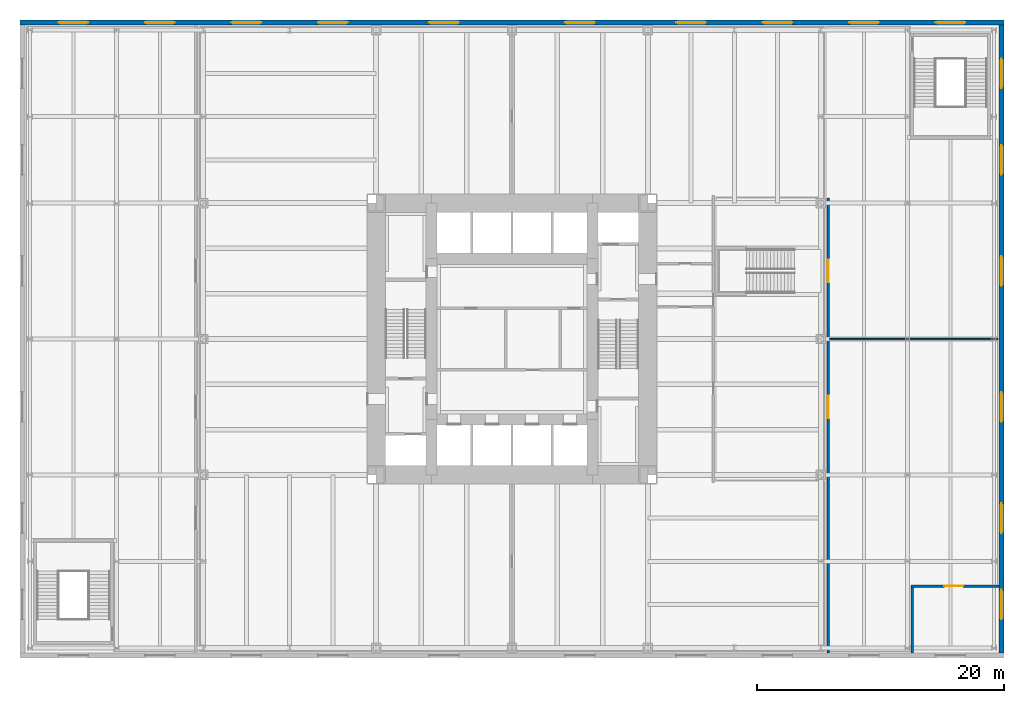
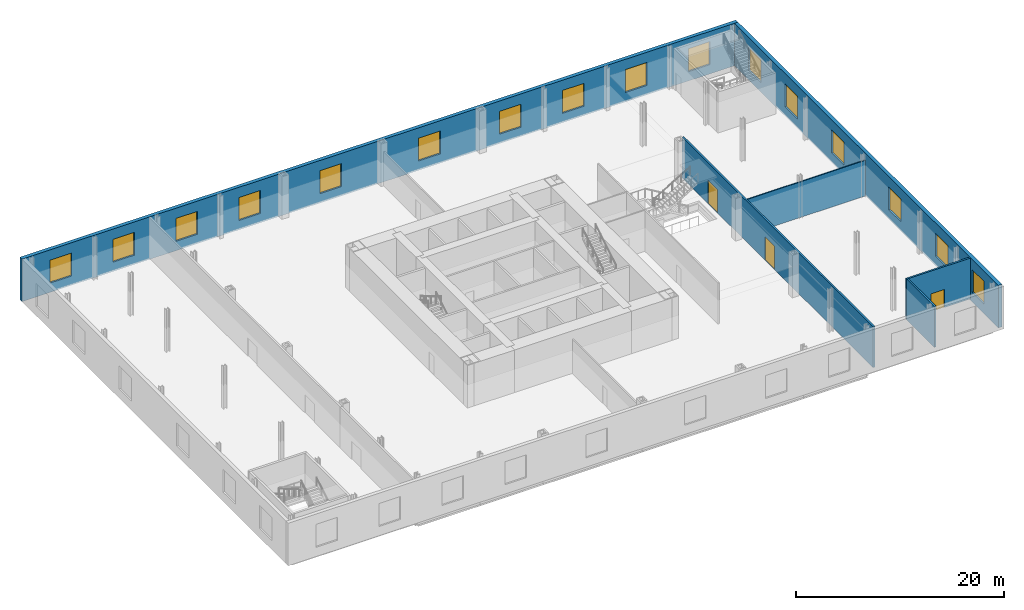
# One storey, part 10 of 13: 16 windows, 6 walls, 3 doors, 19 openings.
"""IFC4 building model written with IfcOpenShell, lengths in metres."""

import ifcopenshell
import ifcopenshell.guid

model = None  # the IFC model being written
_history = None  # IfcOwnerHistory: only IFC2X3 demands one
_inside = {}  # id of a spatial element -> (the spatial element, [elements in it])
_under = {}  # id of a project, library or spatial element -> (it, [spatial elements below it])
_declared = {}  # id of a project -> (the project, [libraries it declares])
_typed = {}  # id of a type object -> (the type object, [elements of that type])
_made_of = {}  # id of a material, layer set ... -> (it, [elements and type objects made of it])


def new_model(schema):
    """Start an empty IFC model of exactly this schema.

    Asked for "IFC4X3", IfcOpenShell would pick the latest addendum, in which some entities
    have other attributes; the version numbers below select the first issue.
    IFC2X3 requires an IfcOwnerHistory on every rooted entity: one is made here for all.
    """
    global model, _history
    if schema == "IFC4X3":
        model = ifcopenshell.file(schema_version=(4, 3, 0, 0))
    else:
        model = ifcopenshell.file(schema=schema)
    _inside.clear()
    _under.clear()
    _declared.clear()
    _typed.clear()
    _made_of.clear()
    _history = None
    if model.schema == "IFC2X3":
        org = make("IfcOrganization", Name="unknown")
        user = make(
            "IfcPersonAndOrganization",
            ThePerson=make("IfcPerson", FamilyName="unknown"),
            TheOrganization=org,
        )
        app = make(
            "IfcApplication",
            ApplicationDeveloper=org,
            Version="unknown",
            ApplicationFullName="unknown",
            ApplicationIdentifier="unknown",
        )
        _history = make(
            "IfcOwnerHistory",
            OwningUser=user,
            OwningApplication=app,
            ChangeAction="ADDED",
            CreationDate=0,
        )
    return model


def make(cls, **values):
    """One entity of the class cls with the attributes given. An attribute that is None is left unset."""
    return model.create_entity(
        cls, **{name: value for name, value in values.items() if value is not None}
    )


def rooted(cls, **values):
    """An entity with a GlobalId (a new one), such as an element, a storey or a relation."""
    return make(cls, GlobalId=ifcopenshell.guid.new(), OwnerHistory=_history, **values)


def si_unit(unit_type, name, prefix=None):
    """IfcSIUnit, for example si_unit("LENGTHUNIT", "METRE", prefix="MILLI")."""
    return make("IfcSIUnit", UnitType=unit_type, Prefix=prefix, Name=name)


def assignment(units):
    """IfcUnitAssignment: the units of a project."""
    return None if units is None else make("IfcUnitAssignment", Units=units)


def point(xyz):
    """IfcCartesianPoint."""
    return None if xyz is None else make("IfcCartesianPoint", Coordinates=xyz)


def direction(xyz):
    """IfcDirection."""
    return None if xyz is None else make("IfcDirection", DirectionRatios=xyz)


def frame(location, z_axis=None, x_axis=None):
    """IfcAxis2Placement3D, a coordinate frame: its origin and axes. An axis left out is left unset."""
    return make(
        "IfcAxis2Placement3D",
        Location=point(location),
        Axis=direction(z_axis),
        RefDirection=direction(x_axis),
    )


def frame_2d(location, x_axis=None):
    """IfcAxis2Placement2D, a coordinate frame in the plane: its origin and x axis."""
    return make(
        "IfcAxis2Placement2D", Location=point(location), RefDirection=direction(x_axis)
    )


def origin():
    """The frame at (0, 0, 0) with its axes left unset."""
    return frame((0.0, 0.0, 0.0))


def place(relative_to, where):
    """IfcLocalPlacement: puts the frame where relative to a parent placement (None: the world)."""
    return make(
        "IfcLocalPlacement", PlacementRelTo=relative_to, RelativePlacement=where
    )


def context(
    kind, dimensions, precision=None, world=None, true_north=None, identifier=None
):
    """IfcGeometricRepresentationContext, for example the 3D "Model" context."""
    return make(
        "IfcGeometricRepresentationContext",
        ContextIdentifier=identifier,
        ContextType=kind,
        CoordinateSpaceDimension=dimensions,
        Precision=precision,
        WorldCoordinateSystem=world,
        TrueNorth=true_north,
    )


def subcontext(parent, identifier, kind, view, scale=None):
    """IfcGeometricRepresentationSubContext, for example "Body" below "Model"."""
    return make(
        "IfcGeometricRepresentationSubContext",
        ContextIdentifier=identifier,
        ContextType=kind,
        ParentContext=parent,
        TargetScale=scale,
        TargetView=view,
    )


def project(units=None, contexts=None):
    """IfcProject with its units and contexts."""
    return rooted(
        "IfcProject",
        Name="project",
        RepresentationContexts=contexts,
        UnitsInContext=assignment(units),
    )


def spatial(cls, under=None, at=None, **own):
    """A site, building, storey or space (cls), placed at a placement, below another one or the project."""
    s = rooted(cls, ObjectPlacement=at, **own)
    if under is not None:
        _under.setdefault(under.id(), (under, []))[1].append(s)
    return s


def profile(cls, at=None, kind="AREA", **sizes):
    """A parametric profile (cls). Its sizes go by their IFC names, for example OverallWidth=200.0."""
    return make(cls, ProfileType=kind, Position=at, **sizes)


def rectangle(**sizes):
    """IfcRectangleProfileDef."""
    return profile("IfcRectangleProfileDef", **sizes)


def extrude(swept, where, along, depth):
    """IfcExtrudedAreaSolid: the profile swept, set in the frame where, extruded along a direction by depth."""
    return make(
        "IfcExtrudedAreaSolid",
        SweptArea=swept,
        Position=where,
        ExtrudedDirection=direction(along),
        Depth=depth,
    )


def shape(context_of_items, identifier, shape_type, items):
    """IfcShapeRepresentation: the items that make up one representation, for example the "Body"."""
    return make(
        "IfcShapeRepresentation",
        ContextOfItems=context_of_items,
        RepresentationIdentifier=identifier,
        RepresentationType=shape_type,
        Items=items,
    )


def material(Name=None, Category=None):
    """IfcMaterial."""
    return make("IfcMaterial", Name=Name, Category=Category)


def layer(
    of_material, thickness, ventilated=None, Name=None, Category=None, Priority=None
):
    """IfcMaterialLayer: one layer of a wall or slab, of a material (None: an air gap)."""
    return make(
        "IfcMaterialLayer",
        Material=of_material,
        LayerThickness=thickness,
        IsVentilated=ventilated,
        Name=Name,
        Category=Category,
        Priority=Priority,
    )


def layer_set(layers, Name=None):
    """IfcMaterialLayerSet."""
    return make("IfcMaterialLayerSet", MaterialLayers=layers, LayerSetName=Name)


def made_of(thing, what):
    """Note that an element or type object is made of a material, layer set ...; save() writes the relation."""
    if what is not None:
        _made_of.setdefault(what.id(), (what, []))[1].append(thing)
    return thing


def type_object(cls, material=None, **own):
    """A type object (cls), such as IfcWallType, which elements share."""
    return made_of(rooted(cls, **own), material)


def element(
    cls,
    number,
    at=None,
    inside=None,
    cuts=None,
    type_object=None,
    material=None,
    context=None,
    identifier="Body",
    shape_type=None,
    held_by="IfcProductDefinitionShape",
    body=None,
    shapes=None,
    **own,
):
    """One element of the class cls, such as IfcWall. Its Tag is "e" and its number.

    at: its placement. inside: the storey or other place that contains it. cuts: it is an
    opening in that element (IfcRelVoidsElement). A single representation is given by context,
    identifier, shape_type and body (its items); several are given by shapes. held_by: the class
    of the entity that holds the representations. save() writes the other relations.
    """
    e = rooted(cls, Tag="e%d" % number, ObjectPlacement=at, **own)
    if body is not None:
        shapes = [shape(context, identifier, shape_type, body)]
    if shapes is not None:
        e.Representation = make(held_by, Representations=shapes)
    if inside is not None:
        _inside.setdefault(inside.id(), (inside, []))[1].append(e)
    if cuts is not None:
        rooted(
            "IfcRelVoidsElement", RelatingBuildingElement=cuts, RelatedOpeningElement=e
        )
    if type_object is not None:
        _typed.setdefault(type_object.id(), (type_object, []))[1].append(e)
    return made_of(e, material)


def fill(opening, filler):
    """IfcRelFillsElement: the door or window that sits in an opening."""
    return rooted(
        "IfcRelFillsElement",
        RelatingOpeningElement=opening,
        RelatedBuildingElement=filler,
    )


def aggregate(whole, parts):
    """IfcRelAggregates: a whole, such as a stair, and the parts it consists of."""
    return rooted("IfcRelAggregates", RelatingObject=whole, RelatedObjects=parts)


def save(model, path):
    """Write the relations noted so far, then the file.

    IfcRelAggregates (storeys below a building ...), IfcRelContainedInSpatialStructure (elements
    in a storey), IfcRelDefinesByType, IfcRelAssociatesMaterial and IfcRelDeclares: one each for
    every whole, place, type object, material and project.
    """
    for whole, parts in _under.values():
        aggregate(whole, parts)
    for where, things in _inside.values():
        rooted(
            "IfcRelContainedInSpatialStructure",
            RelatedElements=things,
            RelatingStructure=where,
        )
    for kind, things in _typed.values():
        rooted("IfcRelDefinesByType", RelatedObjects=things, RelatingType=kind)
    for what, things in _made_of.values():
        rooted("IfcRelAssociatesMaterial", RelatedObjects=things, RelatingMaterial=what)
    for by, libraries in _declared.values():
        rooted("IfcRelDeclares", RelatingContext=by, RelatedDefinitions=libraries)
    model.write(path)


model = new_model("IFC4")

# Units and contexts
model_context = context("Model", 3, precision=1e-05, world=origin(), true_north=direction((0.0, 1.0)))
body_context = subcontext(model_context, "Body", "Model", "MODEL_VIEW")
ifc_project = project(units=[si_unit("LENGTHUNIT", "METRE"), si_unit("AREAUNIT", "SQUARE_METRE"), si_unit("VOLUMEUNIT", "CUBIC_METRE"), si_unit("PLANEANGLEUNIT", "RADIAN"), si_unit("MASSUNIT", "GRAM", prefix="KILO")], contexts=[model_context])

# Site, building, storey
site_placement = place(None, origin())
site = spatial("IfcSite", under=ifc_project, at=site_placement, CompositionType="ELEMENT")
building_placement = place(site_placement, origin())
building = spatial("IfcBuilding", under=site, at=building_placement, Name="Trevanion Tower", CompositionType="ELEMENT")
storey_placement = place(building_placement, frame((0.0, 0.0, 6.0)))
storey = spatial("IfcBuildingStorey", under=building, at=storey_placement, Name="L01", CompositionType="ELEMENT", Elevation=6.0)

# Wall, openings, windows
ifc_material_1 = material(Name="Granite cladding on concrete masonry", Category="masonry")
ifc_layer_1 = layer(ifc_material_1, 0.39990234375)
ifc_layer_set_1 = layer_set([ifc_layer_1], Name="EW1 granite-faced wall 400")
wall_type_1 = type_object("IfcWallType", Name="EW1 granite-faced wall 400", PredefinedType="SOLIDWALL", material=ifc_layer_set_1)
wall_1_placement = place(storey_placement, frame((39.6201171875, -25.419921875, -0.18994140625), z_axis=(0.0, 0.0, 1.0), x_axis=(0.0, 1.0, 0.0)))
wall_1 = element("IfcWall", 1, at=wall_1_placement, inside=storey, type_object=wall_type_1, Name="EW1 E L01", PredefinedType="SOLIDWALL", context=body_context, shape_type="SweptSolid", body=[
    extrude(rectangle(XDim=50.83984375, YDim=0.39990234375, at=frame_2d((25.419921875, 0.0))), origin(), (0.0, 0.0, 1.0), 5.0),
])
opening_1_placement = place(wall_1_placement, frame((2.719970703125, 0.0, 1.090087890625)))
opening_1 = element("IfcOpeningElement", 2, at=opening_1_placement, cuts=wall_1, Name="Opening WN2", PredefinedType="OPENING", context=body_context, shape_type="SweptSolid", body=[
    extrude(rectangle(XDim=2.39990234375, YDim=2.699951171875, at=frame_2d((1.199951171875, 1.35009765625))), frame((0.0, 0.2099609375, 0.0), z_axis=(0.0, -1.0, 0.0), x_axis=(1.0, 0.0, 0.0)), (0.0, 0.0, 1.0), 0.419921875),
])
opening_2_placement = place(wall_1_placement, frame((9.719970703125, 0.0, 1.090087890625)))
opening_2 = element("IfcOpeningElement", 3, at=opening_2_placement, cuts=wall_1, Name="Opening WN2", PredefinedType="OPENING", context=body_context, shape_type="SweptSolid", body=[
    extrude(rectangle(XDim=2.39990234375, YDim=2.699951171875, at=frame_2d((1.199951171875, 1.35009765625))), frame((0.0, 0.2099609375, 0.0), z_axis=(0.0, -1.0, 0.0), x_axis=(1.0, 0.0, 0.0)), (0.0, 0.0, 1.0), 0.419921875),
])
opening_3_placement = place(wall_1_placement, frame((18.719970703125, 0.0, 1.090087890625)))
opening_3 = element("IfcOpeningElement", 4, at=opening_3_placement, cuts=wall_1, Name="Opening WN2", PredefinedType="OPENING", context=body_context, shape_type="SweptSolid", body=[
    extrude(rectangle(XDim=2.39990234375, YDim=2.699951171875, at=frame_2d((1.199951171875, 1.35009765625))), frame((0.0, 0.2099609375, 0.0), z_axis=(0.0, -1.0, 0.0), x_axis=(1.0, 0.0, 0.0)), (0.0, 0.0, 1.0), 0.419921875),
])
opening_4_placement = place(wall_1_placement, frame((29.719970703125, 0.0, 1.090087890625)))
opening_4 = element("IfcOpeningElement", 5, at=opening_4_placement, cuts=wall_1, Name="Opening WN2", PredefinedType="OPENING", context=body_context, shape_type="SweptSolid", body=[
    extrude(rectangle(XDim=2.39990234375, YDim=2.699951171875, at=frame_2d((1.199951171875, 1.35009765625))), frame((0.0, 0.2099609375, 0.0), z_axis=(0.0, -1.0, 0.0), x_axis=(1.0, 0.0, 0.0)), (0.0, 0.0, 1.0), 0.419921875),
])
opening_5_placement = place(wall_1_placement, frame((38.719970703125, 0.0, 1.090087890625)))
opening_5 = element("IfcOpeningElement", 6, at=opening_5_placement, cuts=wall_1, Name="Opening WN2", PredefinedType="OPENING", context=body_context, shape_type="SweptSolid", body=[
    extrude(rectangle(XDim=2.39990234375, YDim=2.699951171875, at=frame_2d((1.199951171875, 1.35009765625))), frame((0.0, 0.2099609375, 0.0), z_axis=(0.0, -1.0, 0.0), x_axis=(1.0, 0.0, 0.0)), (0.0, 0.0, 1.0), 0.419921875),
])
opening_6_placement = place(wall_1_placement, frame((45.719970703125, 0.0, 1.090087890625)))
opening_6 = element("IfcOpeningElement", 7, at=opening_6_placement, cuts=wall_1, Name="Opening WN2", PredefinedType="OPENING", context=body_context, shape_type="SweptSolid", body=[
    extrude(rectangle(XDim=2.39990234375, YDim=2.699951171875, at=frame_2d((1.199951171875, 1.35009765625))), frame((0.0, 0.2099609375, 0.0), z_axis=(0.0, -1.0, 0.0), x_axis=(1.0, 0.0, 0.0)), (0.0, 0.0, 1.0), 0.419921875),
])
ifc_material_2 = material(Name="Bronze-finish aluminium frame, insulating glass", Category="aluminium")
window_type = type_object("IfcWindowType", Name="WN2 window 2400x2700", PartitioningType="SINGLE_PANEL", PredefinedType="WINDOW", material=ifc_material_2)
window_1_placement = place(opening_1_placement, origin())
window_1 = element("IfcWindow", 8, at=window_1_placement, inside=storey, type_object=window_type, Name="WN2 E L01", OverallHeight=2.699951171875, OverallWidth=2.39990234375, PartitioningType="SINGLE_PANEL", PredefinedType="WINDOW", context=body_context, shape_type="SweptSolid", body=[
    extrude(rectangle(XDim=2.39990234375, YDim=2.699951171875, at=frame_2d((1.199951171875, 1.35009765625))), frame((0.0, 0.030029296875, 0.0), z_axis=(0.0, -1.0, 0.0), x_axis=(1.0, 0.0, 0.0)), (0.0, 0.0, 1.0), 0.06005859375),
])
fill(opening_1, window_1)
window_2_placement = place(opening_2_placement, origin())
window_2 = element("IfcWindow", 9, at=window_2_placement, inside=storey, type_object=window_type, Name="WN2 E L01", OverallHeight=2.699951171875, OverallWidth=2.39990234375, PartitioningType="SINGLE_PANEL", PredefinedType="WINDOW", context=body_context, shape_type="SweptSolid", body=[
    extrude(rectangle(XDim=2.39990234375, YDim=2.699951171875, at=frame_2d((1.199951171875, 1.35009765625))), frame((0.0, 0.030029296875, 0.0), z_axis=(0.0, -1.0, 0.0), x_axis=(1.0, 0.0, 0.0)), (0.0, 0.0, 1.0), 0.06005859375),
])
fill(opening_2, window_2)
window_3_placement = place(opening_3_placement, origin())
window_3 = element("IfcWindow", 10, at=window_3_placement, inside=storey, type_object=window_type, Name="WN2 E L01", OverallHeight=2.699951171875, OverallWidth=2.39990234375, PartitioningType="SINGLE_PANEL", PredefinedType="WINDOW", context=body_context, shape_type="SweptSolid", body=[
    extrude(rectangle(XDim=2.39990234375, YDim=2.699951171875, at=frame_2d((1.199951171875, 1.35009765625))), frame((0.0, 0.030029296875, 0.0), z_axis=(0.0, -1.0, 0.0), x_axis=(1.0, 0.0, 0.0)), (0.0, 0.0, 1.0), 0.06005859375),
])
fill(opening_3, window_3)
window_4_placement = place(opening_4_placement, origin())
window_4 = element("IfcWindow", 11, at=window_4_placement, inside=storey, type_object=window_type, Name="WN2 E L01", OverallHeight=2.699951171875, OverallWidth=2.39990234375, PartitioningType="SINGLE_PANEL", PredefinedType="WINDOW", context=body_context, shape_type="SweptSolid", body=[
    extrude(rectangle(XDim=2.39990234375, YDim=2.699951171875, at=frame_2d((1.199951171875, 1.35009765625))), frame((0.0, 0.030029296875, 0.0), z_axis=(0.0, -1.0, 0.0), x_axis=(1.0, 0.0, 0.0)), (0.0, 0.0, 1.0), 0.06005859375),
])
fill(opening_4, window_4)
window_5_placement = place(opening_5_placement, origin())
window_5 = element("IfcWindow", 12, at=window_5_placement, inside=storey, type_object=window_type, Name="WN2 E L01", OverallHeight=2.699951171875, OverallWidth=2.39990234375, PartitioningType="SINGLE_PANEL", PredefinedType="WINDOW", context=body_context, shape_type="SweptSolid", body=[
    extrude(rectangle(XDim=2.39990234375, YDim=2.699951171875, at=frame_2d((1.199951171875, 1.35009765625))), frame((0.0, 0.030029296875, 0.0), z_axis=(0.0, -1.0, 0.0), x_axis=(1.0, 0.0, 0.0)), (0.0, 0.0, 1.0), 0.06005859375),
])
fill(opening_5, window_5)
window_6_placement = place(opening_6_placement, origin())
window_6 = element("IfcWindow", 13, at=window_6_placement, inside=storey, type_object=window_type, Name="WN2 E L01", OverallHeight=2.699951171875, OverallWidth=2.39990234375, PartitioningType="SINGLE_PANEL", PredefinedType="WINDOW", context=body_context, shape_type="SweptSolid", body=[
    extrude(rectangle(XDim=2.39990234375, YDim=2.699951171875, at=frame_2d((1.199951171875, 1.35009765625))), frame((0.0, 0.030029296875, 0.0), z_axis=(0.0, -1.0, 0.0), x_axis=(1.0, 0.0, 0.0)), (0.0, 0.0, 1.0), 0.06005859375),
])
fill(opening_6, window_6)

wall_2_placement = place(storey_placement, frame((39.820068359375, 25.6201171875, -0.18994140625), z_axis=(0.0, 0.0, 1.0), x_axis=(-1.0, 0.0, 0.0)))
wall_2 = element("IfcWall", 14, at=wall_2_placement, inside=storey, type_object=wall_type_1, Name="EW1 N L01", PredefinedType="SOLIDWALL", context=body_context, shape_type="SweptSolid", body=[
    extrude(rectangle(XDim=79.64013671875, YDim=0.39990234375, at=frame_2d((39.820068359375, 0.0))), origin(), (0.0, 0.0, 1.0), 5.0),
])
opening_7_placement = place(wall_2_placement, frame((74.1201171875, 0.0, 1.090087890625)))
opening_7 = element("IfcOpeningElement", 15, at=opening_7_placement, cuts=wall_2, Name="Opening WN2", PredefinedType="OPENING", context=body_context, shape_type="SweptSolid", body=[
    extrude(rectangle(XDim=2.39990234375, YDim=2.699951171875, at=frame_2d((1.199951171875, 1.35009765625))), frame((0.0, 0.2099609375, 0.0), z_axis=(0.0, -1.0, 0.0), x_axis=(1.0, 0.0, 0.0)), (0.0, 0.0, 1.0), 0.419921875),
])
opening_8_placement = place(wall_2_placement, frame((67.1201171875, 0.0, 1.090087890625)))
opening_8 = element("IfcOpeningElement", 16, at=opening_8_placement, cuts=wall_2, Name="Opening WN2", PredefinedType="OPENING", context=body_context, shape_type="SweptSolid", body=[
    extrude(rectangle(XDim=2.39990234375, YDim=2.699951171875, at=frame_2d((1.199951171875, 1.35009765625))), frame((0.0, 0.2099609375, 0.0), z_axis=(0.0, -1.0, 0.0), x_axis=(1.0, 0.0, 0.0)), (0.0, 0.0, 1.0), 0.419921875),
])
opening_9_placement = place(wall_2_placement, frame((60.1201171875, 0.0, 1.090087890625)))
opening_9 = element("IfcOpeningElement", 17, at=opening_9_placement, cuts=wall_2, Name="Opening WN2", PredefinedType="OPENING", context=body_context, shape_type="SweptSolid", body=[
    extrude(rectangle(XDim=2.39990234375, YDim=2.699951171875, at=frame_2d((1.199951171875, 1.35009765625))), frame((0.0, 0.2099609375, 0.0), z_axis=(0.0, -1.0, 0.0), x_axis=(1.0, 0.0, 0.0)), (0.0, 0.0, 1.0), 0.419921875),
])
opening_10_placement = place(wall_2_placement, frame((53.1201171875, 0.0, 1.090087890625)))
opening_10 = element("IfcOpeningElement", 18, at=opening_10_placement, cuts=wall_2, Name="Opening WN2", PredefinedType="OPENING", context=body_context, shape_type="SweptSolid", body=[
    extrude(rectangle(XDim=2.39990234375, YDim=2.699951171875, at=frame_2d((1.199951171875, 1.35009765625))), frame((0.0, 0.2099609375, 0.0), z_axis=(0.0, -1.0, 0.0), x_axis=(1.0, 0.0, 0.0)), (0.0, 0.0, 1.0), 0.419921875),
])
opening_11_placement = place(wall_2_placement, frame((44.1201171875, 0.0, 1.090087890625)))
opening_11 = element("IfcOpeningElement", 19, at=opening_11_placement, cuts=wall_2, Name="Opening WN2", PredefinedType="OPENING", context=body_context, shape_type="SweptSolid", body=[
    extrude(rectangle(XDim=2.39990234375, YDim=2.699951171875, at=frame_2d((1.199951171875, 1.35009765625))), frame((0.0, 0.2099609375, 0.0), z_axis=(0.0, -1.0, 0.0), x_axis=(1.0, 0.0, 0.0)), (0.0, 0.0, 1.0), 0.419921875),
])
opening_12_placement = place(wall_2_placement, frame((33.1201171875, 0.0, 1.090087890625)))
opening_12 = element("IfcOpeningElement", 20, at=opening_12_placement, cuts=wall_2, Name="Opening WN2", PredefinedType="OPENING", context=body_context, shape_type="SweptSolid", body=[
    extrude(rectangle(XDim=2.39990234375, YDim=2.699951171875, at=frame_2d((1.199951171875, 1.35009765625))), frame((0.0, 0.2099609375, 0.0), z_axis=(0.0, -1.0, 0.0), x_axis=(1.0, 0.0, 0.0)), (0.0, 0.0, 1.0), 0.419921875),
])
opening_13_placement = place(wall_2_placement, frame((24.1201171875, 0.0, 1.090087890625)))
opening_13 = element("IfcOpeningElement", 21, at=opening_13_placement, cuts=wall_2, Name="Opening WN2", PredefinedType="OPENING", context=body_context, shape_type="SweptSolid", body=[
    extrude(rectangle(XDim=2.39990234375, YDim=2.699951171875, at=frame_2d((1.199951171875, 1.35009765625))), frame((0.0, 0.2099609375, 0.0), z_axis=(0.0, -1.0, 0.0), x_axis=(1.0, 0.0, 0.0)), (0.0, 0.0, 1.0), 0.419921875),
])
opening_14_placement = place(wall_2_placement, frame((17.1201171875, 0.0, 1.090087890625)))
opening_14 = element("IfcOpeningElement", 22, at=opening_14_placement, cuts=wall_2, Name="Opening WN2", PredefinedType="OPENING", context=body_context, shape_type="SweptSolid", body=[
    extrude(rectangle(XDim=2.39990234375, YDim=2.699951171875, at=frame_2d((1.199951171875, 1.35009765625))), frame((0.0, 0.2099609375, 0.0), z_axis=(0.0, -1.0, 0.0), x_axis=(1.0, 0.0, 0.0)), (0.0, 0.0, 1.0), 0.419921875),
])
opening_15_placement = place(wall_2_placement, frame((10.1201171875, 0.0, 1.090087890625)))
opening_15 = element("IfcOpeningElement", 23, at=opening_15_placement, cuts=wall_2, Name="Opening WN2", PredefinedType="OPENING", context=body_context, shape_type="SweptSolid", body=[
    extrude(rectangle(XDim=2.39990234375, YDim=2.699951171875, at=frame_2d((1.199951171875, 1.35009765625))), frame((0.0, 0.2099609375, 0.0), z_axis=(0.0, -1.0, 0.0), x_axis=(1.0, 0.0, 0.0)), (0.0, 0.0, 1.0), 0.419921875),
])
opening_16_placement = place(wall_2_placement, frame((3.1201171875, 0.0, 1.090087890625)))
opening_16 = element("IfcOpeningElement", 24, at=opening_16_placement, cuts=wall_2, Name="Opening WN2", PredefinedType="OPENING", context=body_context, shape_type="SweptSolid", body=[
    extrude(rectangle(XDim=2.39990234375, YDim=2.699951171875, at=frame_2d((1.199951171875, 1.35009765625))), frame((0.0, 0.2099609375, 0.0), z_axis=(0.0, -1.0, 0.0), x_axis=(1.0, 0.0, 0.0)), (0.0, 0.0, 1.0), 0.419921875),
])
window_7_placement = place(opening_7_placement, origin())
window_7 = element("IfcWindow", 25, at=window_7_placement, inside=storey, type_object=window_type, Name="WN2 N L01", OverallHeight=2.699951171875, OverallWidth=2.39990234375, PartitioningType="SINGLE_PANEL", PredefinedType="WINDOW", context=body_context, shape_type="SweptSolid", body=[
    extrude(rectangle(XDim=2.39990234375, YDim=2.699951171875, at=frame_2d((1.199951171875, 1.35009765625))), frame((0.0, 0.030029296875, 0.0), z_axis=(0.0, -1.0, 0.0), x_axis=(1.0, 0.0, 0.0)), (0.0, 0.0, 1.0), 0.06005859375),
])
fill(opening_7, window_7)
window_8_placement = place(opening_8_placement, origin())
window_8 = element("IfcWindow", 26, at=window_8_placement, inside=storey, type_object=window_type, Name="WN2 N L01", OverallHeight=2.699951171875, OverallWidth=2.39990234375, PartitioningType="SINGLE_PANEL", PredefinedType="WINDOW", context=body_context, shape_type="SweptSolid", body=[
    extrude(rectangle(XDim=2.39990234375, YDim=2.699951171875, at=frame_2d((1.199951171875, 1.35009765625))), frame((0.0, 0.030029296875, 0.0), z_axis=(0.0, -1.0, 0.0), x_axis=(1.0, 0.0, 0.0)), (0.0, 0.0, 1.0), 0.06005859375),
])
fill(opening_8, window_8)
window_9_placement = place(opening_9_placement, origin())
window_9 = element("IfcWindow", 27, at=window_9_placement, inside=storey, type_object=window_type, Name="WN2 N L01", OverallHeight=2.699951171875, OverallWidth=2.39990234375, PartitioningType="SINGLE_PANEL", PredefinedType="WINDOW", context=body_context, shape_type="SweptSolid", body=[
    extrude(rectangle(XDim=2.39990234375, YDim=2.699951171875, at=frame_2d((1.199951171875, 1.35009765625))), frame((0.0, 0.030029296875, 0.0), z_axis=(0.0, -1.0, 0.0), x_axis=(1.0, 0.0, 0.0)), (0.0, 0.0, 1.0), 0.06005859375),
])
fill(opening_9, window_9)
window_10_placement = place(opening_10_placement, origin())
window_10 = element("IfcWindow", 28, at=window_10_placement, inside=storey, type_object=window_type, Name="WN2 N L01", OverallHeight=2.699951171875, OverallWidth=2.39990234375, PartitioningType="SINGLE_PANEL", PredefinedType="WINDOW", context=body_context, shape_type="SweptSolid", body=[
    extrude(rectangle(XDim=2.39990234375, YDim=2.699951171875, at=frame_2d((1.199951171875, 1.35009765625))), frame((0.0, 0.030029296875, 0.0), z_axis=(0.0, -1.0, 0.0), x_axis=(1.0, 0.0, 0.0)), (0.0, 0.0, 1.0), 0.06005859375),
])
fill(opening_10, window_10)
window_11_placement = place(opening_11_placement, origin())
window_11 = element("IfcWindow", 29, at=window_11_placement, inside=storey, type_object=window_type, Name="WN2 N L01", OverallHeight=2.699951171875, OverallWidth=2.39990234375, PartitioningType="SINGLE_PANEL", PredefinedType="WINDOW", context=body_context, shape_type="SweptSolid", body=[
    extrude(rectangle(XDim=2.39990234375, YDim=2.699951171875, at=frame_2d((1.199951171875, 1.35009765625))), frame((0.0, 0.030029296875, 0.0), z_axis=(0.0, -1.0, 0.0), x_axis=(1.0, 0.0, 0.0)), (0.0, 0.0, 1.0), 0.06005859375),
])
fill(opening_11, window_11)
window_12_placement = place(opening_12_placement, origin())
window_12 = element("IfcWindow", 30, at=window_12_placement, inside=storey, type_object=window_type, Name="WN2 N L01", OverallHeight=2.699951171875, OverallWidth=2.39990234375, PartitioningType="SINGLE_PANEL", PredefinedType="WINDOW", context=body_context, shape_type="SweptSolid", body=[
    extrude(rectangle(XDim=2.39990234375, YDim=2.699951171875, at=frame_2d((1.199951171875, 1.35009765625))), frame((0.0, 0.030029296875, 0.0), z_axis=(0.0, -1.0, 0.0), x_axis=(1.0, 0.0, 0.0)), (0.0, 0.0, 1.0), 0.06005859375),
])
fill(opening_12, window_12)
window_13_placement = place(opening_13_placement, origin())
window_13 = element("IfcWindow", 31, at=window_13_placement, inside=storey, type_object=window_type, Name="WN2 N L01", OverallHeight=2.699951171875, OverallWidth=2.39990234375, PartitioningType="SINGLE_PANEL", PredefinedType="WINDOW", context=body_context, shape_type="SweptSolid", body=[
    extrude(rectangle(XDim=2.39990234375, YDim=2.699951171875, at=frame_2d((1.199951171875, 1.35009765625))), frame((0.0, 0.030029296875, 0.0), z_axis=(0.0, -1.0, 0.0), x_axis=(1.0, 0.0, 0.0)), (0.0, 0.0, 1.0), 0.06005859375),
])
fill(opening_13, window_13)
window_14_placement = place(opening_14_placement, origin())
window_14 = element("IfcWindow", 32, at=window_14_placement, inside=storey, type_object=window_type, Name="WN2 N L01", OverallHeight=2.699951171875, OverallWidth=2.39990234375, PartitioningType="SINGLE_PANEL", PredefinedType="WINDOW", context=body_context, shape_type="SweptSolid", body=[
    extrude(rectangle(XDim=2.39990234375, YDim=2.699951171875, at=frame_2d((1.199951171875, 1.35009765625))), frame((0.0, 0.030029296875, 0.0), z_axis=(0.0, -1.0, 0.0), x_axis=(1.0, 0.0, 0.0)), (0.0, 0.0, 1.0), 0.06005859375),
])
fill(opening_14, window_14)
window_15_placement = place(opening_15_placement, origin())
window_15 = element("IfcWindow", 33, at=window_15_placement, inside=storey, type_object=window_type, Name="WN2 N L01", OverallHeight=2.699951171875, OverallWidth=2.39990234375, PartitioningType="SINGLE_PANEL", PredefinedType="WINDOW", context=body_context, shape_type="SweptSolid", body=[
    extrude(rectangle(XDim=2.39990234375, YDim=2.699951171875, at=frame_2d((1.199951171875, 1.35009765625))), frame((0.0, 0.030029296875, 0.0), z_axis=(0.0, -1.0, 0.0), x_axis=(1.0, 0.0, 0.0)), (0.0, 0.0, 1.0), 0.06005859375),
])
fill(opening_15, window_15)
window_16_placement = place(opening_16_placement, origin())
window_16 = element("IfcWindow", 34, at=window_16_placement, inside=storey, type_object=window_type, Name="WN2 N L01", OverallHeight=2.699951171875, OverallWidth=2.39990234375, PartitioningType="SINGLE_PANEL", PredefinedType="WINDOW", context=body_context, shape_type="SweptSolid", body=[
    extrude(rectangle(XDim=2.39990234375, YDim=2.699951171875, at=frame_2d((1.199951171875, 1.35009765625))), frame((0.0, 0.030029296875, 0.0), z_axis=(0.0, -1.0, 0.0), x_axis=(1.0, 0.0, 0.0)), (0.0, 0.0, 1.0), 0.06005859375),
])
fill(opening_16, window_16)

# Wall, opening, door
ifc_material_3 = material(Name="Concrete masonry, grouted", Category="masonry")
ifc_layer_2 = layer(ifc_material_3, 0.199951171875)
ifc_layer_set_2 = layer_set([ifc_layer_2], Name="PT2 partition 200")
wall_type_2 = type_object("IfcWallType", Name="PT2 partition 200", PredefinedType="PARTITIONING", material=ifc_layer_set_2)
wall_3_placement = place(storey_placement, frame((32.300048828125, -20.0, 0.0), z_axis=(0.0, 0.0, 1.0), x_axis=(1.0, 0.0, 0.0)))
wall_3 = element("IfcWall", 35, at=wall_3_placement, inside=storey, type_object=wall_type_2, Name="PT2 L01 CS1", PredefinedType="PARTITIONING", context=body_context, shape_type="SweptSolid", body=[
    extrude(rectangle(XDim=7.10986328125, YDim=0.199951171875, at=frame_2d((3.554931640625, 0.0))), origin(), (0.0, 0.0, 1.0), 4.81005859375),
])
opening_17_placement = place(wall_3_placement, frame((2.68798828125, 0.0, 0.0)))
opening_17 = element("IfcOpeningElement", 36, at=opening_17_placement, cuts=wall_3, Name="Opening 01-031", PredefinedType="OPENING", context=body_context, shape_type="SweptSolid", body=[
    extrude(rectangle(XDim=1.52392578125, YDim=2.134033203125, at=frame_2d((0.761962890625, 1.06689453125))), frame((0.0, 0.10986328125, 0.0), z_axis=(0.0, -1.0, 0.0), x_axis=(1.0, 0.0, 0.0)), (0.0, 0.0, 1.0), 0.219970703125),
])
ifc_material_4 = material(Name="Timber veneer, solid core", Category="wood")
door_type_1 = type_object("IfcDoorType", Name="D17 furniture store double door", OperationType="DOUBLE_DOOR_SINGLE_SWING", PredefinedType="DOOR", material=ifc_material_4)
door_1_placement = place(opening_17_placement, origin())
door_1 = element("IfcDoor", 37, at=door_1_placement, inside=storey, type_object=door_type_1, Name="Door 01-031", OperationType="DOUBLE_DOOR_SINGLE_SWING", OverallHeight=2.134033203125, OverallWidth=1.52392578125, PredefinedType="DOOR", context=body_context, shape_type="SweptSolid", body=[
    extrude(rectangle(XDim=1.52392578125, YDim=2.134033203125, at=frame_2d((0.761962890625, 1.06689453125))), frame((0.0, 0.02490234375, 0.0), z_axis=(0.0, -1.0, 0.0), x_axis=(1.0, 0.0, 0.0)), (0.0, 0.0, 1.0), 0.050048828125),
])
fill(opening_17, door_1)

# Wall
wall_4_placement = place(storey_placement, frame((32.39990234375, -25.409912109375, 0.0), z_axis=(0.0, 0.0, 1.0), x_axis=(0.0, 1.0, 0.0)))
element("IfcWall", 38, at=wall_4_placement, inside=storey, type_object=wall_type_2, Name="PT2 L01 CS2", PredefinedType="PARTITIONING", context=body_context, shape_type="SweptSolid", body=[
    extrude(rectangle(XDim=5.309814453125, YDim=0.199951171875, at=frame_2d((2.65478515625, 0.0))), origin(), (0.0, 0.0, 1.0), 4.81005859375),
])

# Wall, openings, doors
ifc_material_5 = material(Name="Concrete masonry, grouted", Category="masonry")
ifc_layer_3 = layer(ifc_material_5, 0.199951171875)
ifc_layer_set_3 = layer_set([ifc_layer_3], Name="PT2 partition 200 1 HR")
wall_type_3 = type_object("IfcWallType", Name="PT2 partition 200 1 HR", PredefinedType="PARTITIONING", material=ifc_layer_set_3)
wall_5_placement = place(storey_placement, frame((25.60009765625, -25.409912109375, 0.0), z_axis=(0.0, 0.0, 1.0), x_axis=(0.0, 1.0, 0.0)))
wall_5 = element("IfcWall", 39, at=wall_5_placement, inside=storey, type_object=wall_type_3, Name="PT2 L01 WE1", PredefinedType="PARTITIONING", context=body_context, shape_type="SweptSolid", body=[
    extrude(rectangle(XDim=36.809814453125, YDim=0.199951171875, at=frame_2d((18.40478515625, 0.0))), origin(), (0.0, 0.0, 1.0), 4.81005859375),
])
opening_18_placement = place(wall_5_placement, frame((29.9951171875, 0.0, 0.0)))
opening_18 = element("IfcOpeningElement", 40, at=opening_18_placement, cuts=wall_5, Name="Opening 01-020", PredefinedType="OPENING", context=body_context, shape_type="SweptSolid", body=[
    extrude(rectangle(XDim=1.830078125, YDim=2.742919921875, at=frame_2d((0.9150390625, 1.37158203125))), frame((0.0, 0.10986328125, 0.0), z_axis=(0.0, -1.0, 0.0), x_axis=(1.0, 0.0, 0.0)), (0.0, 0.0, 1.0), 0.219970703125),
])
opening_19_placement = place(wall_5_placement, frame((18.9951171875, 0.0, 0.0)))
opening_19 = element("IfcOpeningElement", 41, at=opening_19_placement, cuts=wall_5, Name="Opening 01-021", PredefinedType="OPENING", context=body_context, shape_type="SweptSolid", body=[
    extrude(rectangle(XDim=1.830078125, YDim=2.742919921875, at=frame_2d((0.9150390625, 1.37158203125))), frame((0.0, 0.10986328125, 0.0), z_axis=(0.0, -1.0, 0.0), x_axis=(1.0, 0.0, 0.0)), (0.0, 0.0, 1.0), 0.219970703125),
])
ifc_material_6 = material(Name="Bronze-framed timber, fire rated", Category="wood")
door_type_2 = type_object("IfcDoorType", Name="D18 conference hall entrance pair", OperationType="DOUBLE_DOOR_DOUBLE_SWING", PredefinedType="DOOR", material=ifc_material_6)
door_2_placement = place(opening_18_placement, origin())
door_2 = element("IfcDoor", 42, at=door_2_placement, inside=storey, type_object=door_type_2, Name="Door 01-020", OperationType="DOUBLE_DOOR_DOUBLE_SWING", OverallHeight=2.742919921875, OverallWidth=1.830078125, PredefinedType="DOOR", context=body_context, shape_type="SweptSolid", body=[
    extrude(rectangle(XDim=1.830078125, YDim=2.742919921875, at=frame_2d((0.9150390625, 1.37158203125))), frame((0.0, 0.02490234375, 0.0), z_axis=(0.0, -1.0, 0.0), x_axis=(1.0, 0.0, 0.0)), (0.0, 0.0, 1.0), 0.050048828125),
])
fill(opening_18, door_2)
door_3_placement = place(opening_19_placement, origin())
door_3 = element("IfcDoor", 43, at=door_3_placement, inside=storey, type_object=door_type_2, Name="Door 01-021", OperationType="DOUBLE_DOOR_DOUBLE_SWING", OverallHeight=2.742919921875, OverallWidth=1.830078125, PredefinedType="DOOR", context=body_context, shape_type="SweptSolid", body=[
    extrude(rectangle(XDim=1.830078125, YDim=2.742919921875, at=frame_2d((0.9150390625, 1.37158203125))), frame((0.0, 0.02490234375, 0.0), z_axis=(0.0, -1.0, 0.0), x_axis=(1.0, 0.0, 0.0)), (0.0, 0.0, 1.0), 0.050048828125),
])
fill(opening_19, door_3)

# Wall
ifc_material_7 = material(Name="Top-hung acoustic panels, timber veneer faces", Category="wood")
ifc_layer_4 = layer(ifc_material_7, 0.1201171875)
ifc_layer_set_4 = layer_set([ifc_layer_4], Name="PT4 operable acoustic wall 120")
wall_type_4 = type_object("IfcWallType", Name="PT4 operable acoustic wall 120", PredefinedType="MOVABLE", material=ifc_layer_set_4)
wall_6_placement = place(storey_placement, frame((25.699951171875, 0.0, 0.0), z_axis=(0.0, 0.0, 1.0), x_axis=(1.0, 0.0, 0.0)))
element("IfcWall", 44, at=wall_6_placement, inside=storey, type_object=wall_type_4, Name="PT4 L01 OW1", PredefinedType="MOVABLE", context=body_context, shape_type="SweptSolid", body=[
    extrude(rectangle(XDim=13.60009765625, YDim=0.1201171875, at=frame_2d((6.800048828125, 0.0))), origin(), (0.0, 0.0, 1.0), 4.187744140625),
])

save(model, "model.ifc")
